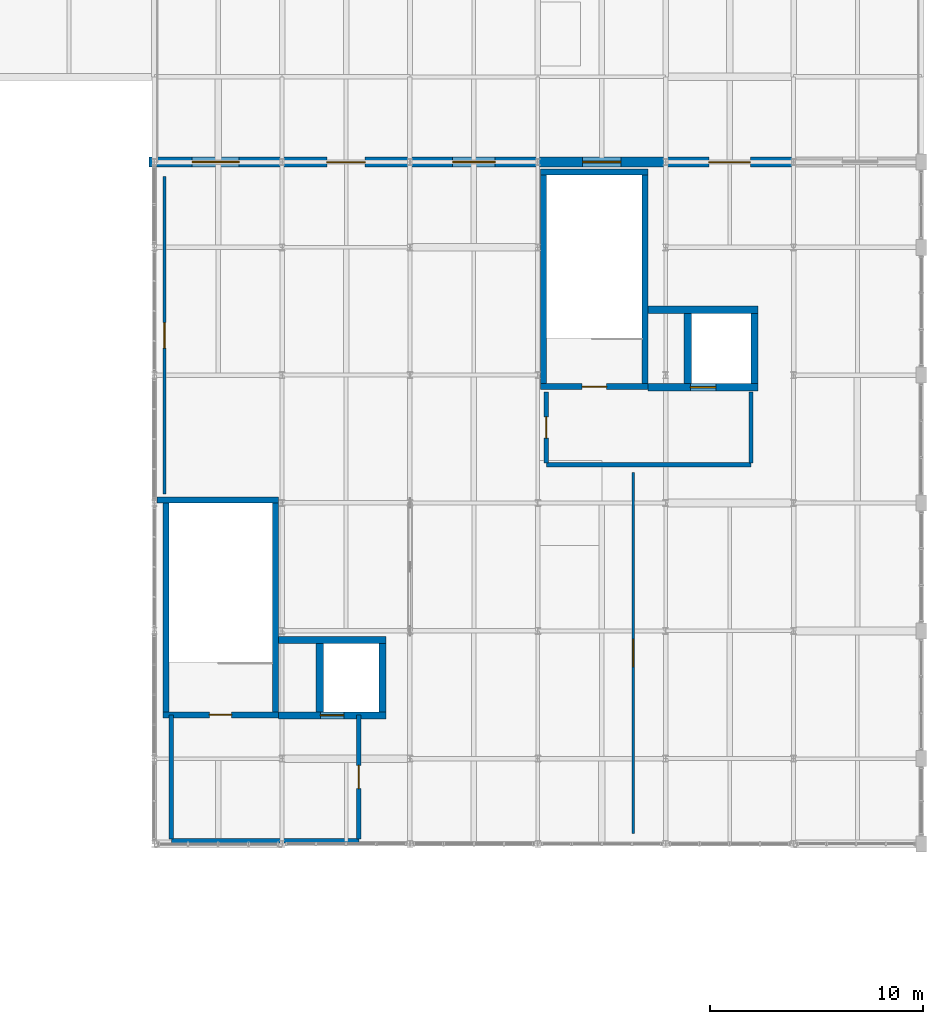
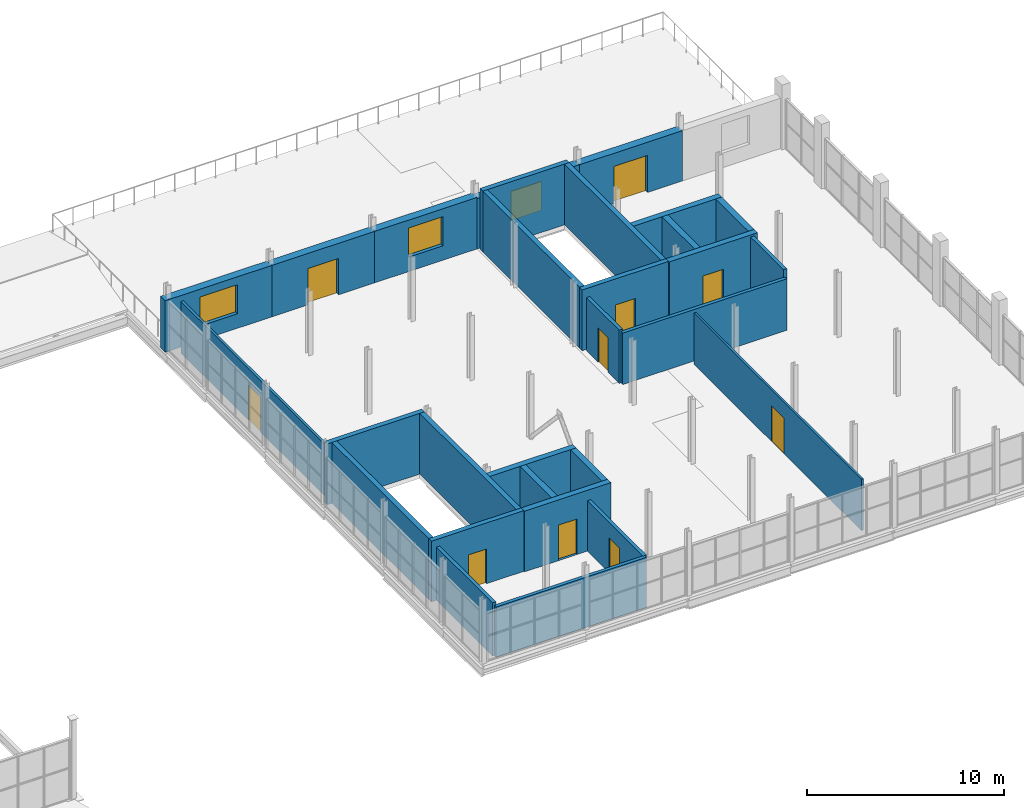
# One storey, part 90 of 96: 29 walls, 10 doors, 3 windows, 13 openings.
"""IFC4 building model written with IfcOpenShell, lengths in metres."""

from ifc_helpers import new_model, si_unit, direction, frame, frame_2d, origin, place, context, subcontext, project, spatial, rectangle, extrude, material, layer, layer_set, type_object, element, fill, save


model = new_model("IFC4")

# Units and contexts
model_context = context("Model", 3, precision=1e-05, world=origin(), true_north=direction((0.0, 1.0)))
body_context = subcontext(model_context, "Body", "Model", "MODEL_VIEW")
ifc_project = project(units=[si_unit("LENGTHUNIT", "METRE"), si_unit("AREAUNIT", "SQUARE_METRE"), si_unit("VOLUMEUNIT", "CUBIC_METRE"), si_unit("PLANEANGLEUNIT", "RADIAN"), si_unit("MASSUNIT", "GRAM", prefix="KILO")], contexts=[model_context])

# Site, building, storey
site_placement = place(None, origin())
site = spatial("IfcSite", under=ifc_project, at=site_placement, CompositionType="ELEMENT")
building_placement = place(site_placement, origin())
building = spatial("IfcBuilding", under=site, at=building_placement, Name="Verrall Gate Interchange", CompositionType="ELEMENT")
storey_placement = place(building_placement, frame((0.0, 0.0, 11.39990234375)))
storey = spatial("IfcBuildingStorey", under=building, at=storey_placement, Name="L03", CompositionType="ELEMENT", Elevation=11.39990234375)

# Wall, opening, door
ifc_material_1 = material(Name="Tyndall Dolomitic Limestone Ashlar Cavity Assembly (U=0.18)", Category="masonry")
ifc_layer_1 = layer(ifc_material_1, 0.4599609375)
ifc_layer_set_1 = layer_set([ifc_layer_1], Name="Tyndall Dolomitic Limestone Ashlar Cavity Assembly (U=0.18)")
wall_type_1 = type_object("IfcWallType", Name="EW-02 Exterior Solid Wall 460", PredefinedType="SOLIDWALL", material=ifc_layer_set_1)
wall_1_placement = place(storey_placement, frame((162.008056640625, 44.0, 0.0), z_axis=(0.0, 0.0, 1.0), x_axis=(-1.0, 0.0, 0.0)))
wall_1 = element("IfcWall", 1, at=wall_1_placement, inside=storey, type_object=wall_type_1, Name="L03 Classical Limestone Facade Wall 100", PredefinedType="SOLIDWALL", context=body_context, shape_type="SweptSolid", body=[
    extrude(rectangle(XDim=6.01611328125, YDim=0.4599609375, at=frame_2d((3.008056640625, 0.0))), origin(), (0.0, 0.0, 1.0), 3.111083984375),
])
opening_1_placement = place(wall_1_placement, frame((2.032958984375, 0.0, 0.0)))
opening_1 = element("IfcOpeningElement", 2, at=opening_1_placement, cuts=wall_1, Name="Opening E44", PredefinedType="OPENING", context=body_context, shape_type="SweptSolid", body=[
    extrude(rectangle(XDim=1.949951171875, YDim=2.300048828125, at=frame_2d((0.97509765625, 1.14990234375))), frame((0.0, 0.244873046875, 0.0), z_axis=(0.0, -1.0, 0.0), x_axis=(1.0, 0.0, 0.0)), (0.0, 0.0, 1.0), 0.48974609375),
])
ifc_material_2 = material(Name="Thermally Broken Bronze-Anodized Aluminium Entrance Assembly", Category="aluminium")
door_type_1 = type_object("IfcDoorType", Name="GD-02 Exterior Entrance Door 1950x2300", OperationType="NOTDEFINED", PredefinedType="DOOR", material=ifc_material_2)
door_1_placement = place(opening_1_placement, origin())
door_1 = element("IfcDoor", 3, at=door_1_placement, inside=storey, type_object=door_type_1, Name="L03 Roof Garden Terrace Door E44", OperationType="DOUBLE_DOOR_SINGLE_SWING", OverallHeight=2.300048828125, OverallWidth=1.949951171875, PredefinedType="DOOR", context=body_context, shape_type="SweptSolid", body=[
    extrude(rectangle(XDim=1.949951171875, YDim=2.300048828125, at=frame_2d((0.97509765625, 1.14990234375))), frame((0.0, 0.02490234375, 0.0), z_axis=(0.0, -1.0, 0.0), x_axis=(1.0, 0.0, 0.0)), (0.0, 0.0, 1.0), 0.050048828125),
])
fill(opening_1, door_1)

# Wall, opening, window
wall_2_placement = place(storey_placement, frame((156.008056640625, 44.0, 0.0), z_axis=(0.0, 0.0, 1.0), x_axis=(-1.0, 0.0, 0.0)))
wall_2 = element("IfcWall", 4, at=wall_2_placement, inside=storey, type_object=wall_type_1, Name="L03 Classical Limestone Facade Wall 101", PredefinedType="SOLIDWALL", context=body_context, shape_type="SweptSolid", body=[
    extrude(rectangle(XDim=6.01611328125, YDim=0.4599609375, at=frame_2d((3.008056640625, 0.0))), origin(), (0.0, 0.0, 1.0), 3.111083984375),
])
opening_2_placement = place(wall_2_placement, frame((2.10791015625, 0.0, 0.89990234375)))
opening_2 = element("IfcOpeningElement", 5, at=opening_2_placement, cuts=wall_2, Name="Opening WN-05", PredefinedType="OPENING", context=body_context, shape_type="SweptSolid", body=[
    extrude(rectangle(XDim=1.800048828125, YDim=1.800048828125, at=frame_2d((0.89990234375, 0.89990234375))), frame((0.0, 0.244873046875, 0.0), z_axis=(0.0, -1.0, 0.0), x_axis=(1.0, 0.0, 0.0)), (0.0, 0.0, 1.0), 0.48974609375),
])
ifc_material_3 = material(Name="Triple-Glazed Low-E Argon Bronze-Clad Window Unit (U=1.40)", Category="glass")
window_type_1 = type_object("IfcWindowType", Name="WN-05 Classical Deep-Reveal Window 1800x1800", PartitioningType="SINGLE_PANEL", PredefinedType="WINDOW", material=ifc_material_3)
window_1_placement = place(opening_2_placement, origin())
window_1 = element("IfcWindow", 6, at=window_1_placement, inside=storey, type_object=window_type_1, Name="L03 Classical Window 049 (WN-05)", OverallHeight=1.800048828125, OverallWidth=1.800048828125, PartitioningType="SINGLE_PANEL", PredefinedType="WINDOW", context=body_context, shape_type="SweptSolid", body=[
    extrude(rectangle(XDim=1.800048828125, YDim=1.800048828125, at=frame_2d((0.89990234375, 0.89990234375))), frame((0.0, 0.030029296875, 0.0), z_axis=(0.0, -1.0, 0.0), x_axis=(1.0, 0.0, 0.0)), (0.0, 0.0, 1.0), 0.06005859375),
])
fill(opening_2, window_1)

wall_3_placement = place(storey_placement, frame((150.008056640625, 44.0, 0.0), z_axis=(0.0, 0.0, 1.0), x_axis=(-1.0, 0.0, 0.0)))
wall_3 = element("IfcWall", 7, at=wall_3_placement, inside=storey, type_object=wall_type_1, Name="L03 Classical Limestone Facade Wall 102", PredefinedType="SOLIDWALL", context=body_context, shape_type="SweptSolid", body=[
    extrude(rectangle(XDim=6.01611328125, YDim=0.4599609375, at=frame_2d((3.008056640625, 0.0))), origin(), (0.0, 0.0, 1.0), 3.18701171875),
])
opening_3_placement = place(wall_3_placement, frame((2.008056640625, 0.0, 0.89990234375)))
opening_3 = element("IfcOpeningElement", 8, at=opening_3_placement, cuts=wall_3, Name="Opening WN-06", PredefinedType="OPENING", context=body_context, shape_type="SweptSolid", body=[
    extrude(rectangle(XDim=2.0, YDim=1.800048828125, at=frame_2d((1.0, 0.89990234375))), frame((0.0, 0.244873046875, 0.0), z_axis=(0.0, -1.0, 0.0), x_axis=(1.0, 0.0, 0.0)), (0.0, 0.0, 1.0), 0.48974609375),
])
ifc_material_4 = material(Name="Triple-Glazed Low-E Argon Bronze-Clad Window Unit (U=1.40)", Category="glass")
window_type_2 = type_object("IfcWindowType", Name="WN-06 Classical Deep-Reveal Window 2000x1800", PartitioningType="SINGLE_PANEL", PredefinedType="WINDOW", material=ifc_material_4)
window_2_placement = place(opening_3_placement, origin())
window_2 = element("IfcWindow", 9, at=window_2_placement, inside=storey, type_object=window_type_2, Name="L03 Classical Window 050 (WN-06)", OverallHeight=1.800048828125, OverallWidth=2.0, PartitioningType="SINGLE_PANEL", PredefinedType="WINDOW", context=body_context, shape_type="SweptSolid", body=[
    extrude(rectangle(XDim=2.0, YDim=1.800048828125, at=frame_2d((1.0, 0.89990234375))), frame((0.0, 0.030029296875, 0.0), z_axis=(0.0, -1.0, 0.0), x_axis=(1.0, 0.0, 0.0)), (0.0, 0.0, 1.0), 0.06005859375),
])
fill(opening_3, window_2)

# Wall, opening, door
wall_4_placement = place(storey_placement, frame((144.008056640625, 44.0, 0.0), z_axis=(0.0, 0.0, 1.0), x_axis=(-1.0, 0.0, 0.0)))
wall_4 = element("IfcWall", 10, at=wall_4_placement, inside=storey, type_object=wall_type_1, Name="L03 Classical Limestone Facade Wall 103", PredefinedType="SOLIDWALL", context=body_context, shape_type="SweptSolid", body=[
    extrude(rectangle(XDim=6.01611328125, YDim=0.4599609375, at=frame_2d((3.008056640625, 0.0))), origin(), (0.0, 0.0, 1.0), 3.18701171875),
])
opening_4_placement = place(wall_4_placement, frame((2.10791015625, 0.0, 0.0)))
opening_4 = element("IfcOpeningElement", 11, at=opening_4_placement, cuts=wall_4, Name="Opening E45", PredefinedType="OPENING", context=body_context, shape_type="SweptSolid", body=[
    extrude(rectangle(XDim=1.800048828125, YDim=2.25, at=frame_2d((0.89990234375, 1.125))), frame((0.0, 0.244873046875, 0.0), z_axis=(0.0, -1.0, 0.0), x_axis=(1.0, 0.0, 0.0)), (0.0, 0.0, 1.0), 0.48974609375),
])
ifc_material_5 = material(Name="Thermally Broken Bronze-Anodized Aluminium Entrance Assembly", Category="aluminium")
door_type_2 = type_object("IfcDoorType", Name="GD-01 Exterior Entrance Door 1800x2250", OperationType="NOTDEFINED", PredefinedType="DOOR", material=ifc_material_5)
door_2_placement = place(opening_4_placement, origin())
door_2 = element("IfcDoor", 12, at=door_2_placement, inside=storey, type_object=door_type_2, Name="L03 Roof Garden Terrace Door E45", OperationType="DOUBLE_DOOR_SINGLE_SWING", OverallHeight=2.25, OverallWidth=1.800048828125, PredefinedType="DOOR", context=body_context, shape_type="SweptSolid", body=[
    extrude(rectangle(XDim=1.800048828125, YDim=2.25, at=frame_2d((0.89990234375, 1.125))), frame((0.0, 0.02490234375, 0.0), z_axis=(0.0, -1.0, 0.0), x_axis=(1.0, 0.0, 0.0)), (0.0, 0.0, 1.0), 0.050048828125),
])
fill(opening_4, door_2)

# Wall, opening, window
wall_5_placement = place(storey_placement, frame((138.008056640625, 44.0, 0.0), z_axis=(0.0, 0.0, 1.0), x_axis=(-1.0, 0.0, 0.0)))
wall_5 = element("IfcWall", 13, at=wall_5_placement, inside=storey, type_object=wall_type_1, Name="L03 Classical Limestone Facade Wall 104", PredefinedType="SOLIDWALL", context=body_context, shape_type="SweptSolid", body=[
    extrude(rectangle(XDim=6.258056640625, YDim=0.4599609375, at=frame_2d((3.12890625, 0.0))), origin(), (0.0, 0.0, 1.0), 3.18701171875),
])
opening_5_placement = place(wall_5_placement, frame((2.029052734375, 0.0, 0.89990234375)))
opening_5 = element("IfcOpeningElement", 14, at=opening_5_placement, cuts=wall_5, Name="Opening WN-07", PredefinedType="OPENING", context=body_context, shape_type="SweptSolid", body=[
    extrude(rectangle(XDim=2.199951171875, YDim=1.800048828125, at=frame_2d((1.10009765625, 0.89990234375))), frame((0.0, 0.244873046875, 0.0), z_axis=(0.0, -1.0, 0.0), x_axis=(1.0, 0.0, 0.0)), (0.0, 0.0, 1.0), 0.48974609375),
])
ifc_material_6 = material(Name="Triple-Glazed Low-E Argon Bronze-Clad Window Unit (U=1.40)", Category="glass")
window_type_3 = type_object("IfcWindowType", Name="WN-07 Classical Deep-Reveal Window 2200x1800", PartitioningType="SINGLE_PANEL", PredefinedType="WINDOW", material=ifc_material_6)
window_3_placement = place(opening_5_placement, origin())
window_3 = element("IfcWindow", 15, at=window_3_placement, inside=storey, type_object=window_type_3, Name="L03 Classical Window 051 (WN-07)", OverallHeight=1.800048828125, OverallWidth=2.199951171875, PartitioningType="SINGLE_PANEL", PredefinedType="WINDOW", context=body_context, shape_type="SweptSolid", body=[
    extrude(rectangle(XDim=2.199951171875, YDim=1.800048828125, at=frame_2d((1.10009765625, 0.89990234375))), frame((0.0, 0.030029296875, 0.0), z_axis=(0.0, -1.0, 0.0), x_axis=(1.0, 0.0, 0.0)), (0.0, 0.0, 1.0), 0.06005859375),
])
fill(opening_5, window_3)

# Walls
ifc_material_7 = material(Name="Fire-Rated Type X Gypsum Stud Partition Assembly (60 min)", Category="gypsum")
ifc_layer_2 = layer(ifc_material_7, 0.199951171875)
ifc_layer_set_2 = layer_set([ifc_layer_2], Name="Fire-Rated Type X Gypsum Stud Partition Assembly (60 min)")
wall_type_2 = type_object("IfcWallType", Name="IW-01 Interior Partition Wall 200", PredefinedType="PARTITIONING", material=ifc_layer_set_2)
wall_6_placement = place(storey_placement, frame((132.800048828125, 12.14990234375, 0.0), z_axis=(0.0, 0.0, 1.0), x_axis=(1.0, 0.0, 0.0)))
element("IfcWall", 16, at=wall_6_placement, inside=storey, type_object=wall_type_2, Name="L03 Core C8 Lobby South Rated Wall", PredefinedType="PARTITIONING", context=body_context, shape_type="SweptSolid", body=[
    extrude(rectangle(XDim=8.800048828125, YDim=0.199951171875, at=frame_2d((4.39990234375, 0.0))), origin(), (0.0, 0.0, 1.0), 3.111083984375),
])
wall_7_placement = place(storey_placement, frame((132.800048828125, 18.050048828125, 0.0), z_axis=(0.0, 0.0, 1.0), x_axis=(0.0, -1.0, 0.0)))
element("IfcWall", 17, at=wall_7_placement, inside=storey, type_object=wall_type_2, Name="L03 Core C8 Lobby West Rated Wall", PredefinedType="PARTITIONING", context=body_context, shape_type="SweptSolid", body=[
    extrude(rectangle(XDim=5.820068359375, YDim=0.199951171875, at=frame_2d((2.91015625, 0.0))), origin(), (0.0, 0.0, 1.0), 3.294189453125),
])

# Wall, opening, door
wall_8_placement = place(storey_placement, frame((141.60009765625, 12.22998046875, 0.0), z_axis=(0.0, 0.0, 1.0), x_axis=(0.0, 1.0, 0.0)))
wall_8 = element("IfcWall", 18, at=wall_8_placement, inside=storey, type_object=wall_type_2, Name="L03 Core C8 Lobby East Rated Wall", PredefinedType="PARTITIONING", context=body_context, shape_type="SweptSolid", body=[
    extrude(rectangle(XDim=5.820068359375, YDim=0.199951171875, at=frame_2d((2.91015625, 0.0))), origin(), (0.0, 0.0, 1.0), 3.111083984375),
])
opening_6_placement = place(wall_8_placement, frame((2.360107421875, 0.0, 0.0)))
opening_6 = element("IfcOpeningElement", 19, at=opening_6_placement, cuts=wall_8, Name="Opening LBD096", PredefinedType="OPENING", context=body_context, shape_type="SweptSolid", body=[
    extrude(rectangle(XDim=1.10009765625, YDim=2.14990234375, at=frame_2d((0.550048828125, 1.074951171875))), frame((0.0, 0.11474609375, 0.0), z_axis=(0.0, -1.0, 0.0), x_axis=(1.0, 0.0, 0.0)), (0.0, 0.0, 1.0), 0.229736328125),
])
ifc_material_8 = material(Name="Hollow-Metal Fire-Rated Door Assembly", Category="metal")
door_type_3 = type_object("IfcDoorType", Name="ID-06 Interior Swing Door 1100x2150", OperationType="NOTDEFINED", PredefinedType="DOOR", material=ifc_material_8)
door_3_placement = place(opening_6_placement, origin())
door_3 = element("IfcDoor", 20, at=door_3_placement, inside=storey, type_object=door_type_3, Name="L03 Core C8 Lobby Fire Door LBD096", OperationType="SINGLE_SWING_RIGHT", OverallHeight=2.14990234375, OverallWidth=1.10009765625, PredefinedType="DOOR", context=body_context, shape_type="SweptSolid", body=[
    extrude(rectangle(XDim=1.10009765625, YDim=2.14990234375, at=frame_2d((0.550048828125, 1.074951171875))), frame((0.0, 0.02490234375, 0.0), z_axis=(0.0, -1.0, 0.0), x_axis=(1.0, 0.0, 0.0)), (0.0, 0.0, 1.0), 0.050048828125),
])
fill(opening_6, door_3)

# Wall
wall_9_placement = place(storey_placement, frame((150.39990234375, 29.800048828125, 0.0), z_axis=(0.0, 0.0, 1.0), x_axis=(1.0, 0.0, 0.0)))
element("IfcWall", 21, at=wall_9_placement, inside=storey, type_object=wall_type_2, Name="L03 Core C9 Lobby South Rated Wall", PredefinedType="PARTITIONING", context=body_context, shape_type="SweptSolid", body=[
    extrude(rectangle(XDim=9.60009765625, YDim=0.199951171875, at=frame_2d((4.800048828125, 0.0))), origin(), (0.0, 0.0, 1.0), 3.18701171875),
])

# Wall, opening, door
wall_10_placement = place(storey_placement, frame((150.39990234375, 33.199951171875, 0.0), z_axis=(0.0, 0.0, 1.0), x_axis=(0.0, -1.0, 0.0)))
wall_10 = element("IfcWall", 22, at=wall_10_placement, inside=storey, type_object=wall_type_2, Name="L03 Core C9 Lobby West Rated Wall", PredefinedType="PARTITIONING", context=body_context, shape_type="SweptSolid", body=[
    extrude(rectangle(XDim=3.320068359375, YDim=0.199951171875, at=frame_2d((1.66015625, 0.0))), origin(), (0.0, 0.0, 1.0), 3.296142578125),
])
opening_7_placement = place(wall_10_placement, frame((1.159912109375, 0.0, 0.0)))
opening_7 = element("IfcOpeningElement", 23, at=opening_7_placement, cuts=wall_10, Name="Opening LBD107", PredefinedType="OPENING", context=body_context, shape_type="SweptSolid", body=[
    extrude(rectangle(XDim=1.0, YDim=2.14990234375, at=frame_2d((0.5, 1.074951171875))), frame((0.0, 0.11474609375, 0.0), z_axis=(0.0, -1.0, 0.0), x_axis=(1.0, 0.0, 0.0)), (0.0, 0.0, 1.0), 0.229736328125),
])
ifc_material_9 = material(Name="Hollow-Metal Fire-Rated Door Assembly", Category="metal")
door_type_4 = type_object("IfcDoorType", Name="ID-05 Interior Swing Door 1000x2150", OperationType="NOTDEFINED", PredefinedType="DOOR", material=ifc_material_9)
door_4_placement = place(opening_7_placement, origin())
door_4 = element("IfcDoor", 24, at=door_4_placement, inside=storey, type_object=door_type_4, Name="L03 Core C9 Lobby Fire Door LBD107", OperationType="SINGLE_SWING_LEFT", OverallHeight=2.14990234375, OverallWidth=1.0, PredefinedType="DOOR", context=body_context, shape_type="SweptSolid", body=[
    extrude(rectangle(XDim=1.0, YDim=2.14990234375, at=frame_2d((0.5, 1.074951171875))), frame((0.0, 0.02490234375, 0.0), z_axis=(0.0, -1.0, 0.0), x_axis=(1.0, 0.0, 0.0)), (0.0, 0.0, 1.0), 0.050048828125),
])
fill(opening_7, door_4)

# Wall
wall_11_placement = place(storey_placement, frame((160.0, 29.8798828125, 0.0), z_axis=(0.0, 0.0, 1.0), x_axis=(0.0, 1.0, 0.0)))
element("IfcWall", 25, at=wall_11_placement, inside=storey, type_object=wall_type_2, Name="L03 Core C9 Lobby East Rated Wall", PredefinedType="PARTITIONING", context=body_context, shape_type="SweptSolid", body=[
    extrude(rectangle(XDim=3.320068359375, YDim=0.199951171875, at=frame_2d((1.66015625, 0.0))), origin(), (0.0, 0.0, 1.0), 3.68017578125),
])

# Wall, opening, door
ifc_material_10 = material(Name="Acoustic Steel-Stud Partition Assembly", Category="steel")
ifc_layer_3 = layer(ifc_material_10, 0.139892578125)
ifc_layer_set_3 = layer_set([ifc_layer_3], Name="Acoustic Steel-Stud Partition Assembly")
wall_type_3 = type_object("IfcWallType", Name="IW-03 Interior Partition Wall 140", PredefinedType="PARTITIONING", material=ifc_layer_set_3)
wall_12_placement = place(storey_placement, frame((132.47998046875, 28.409912109375, 0.0), z_axis=(0.0, 0.0, 1.0), x_axis=(0.0, 1.0, 0.0)))
wall_12 = element("IfcWall", 26, at=wall_12_placement, inside=storey, type_object=wall_type_3, Name="L03 Transit Heritage Exhibition Hall Partition 062", PredefinedType="PARTITIONING", context=body_context, shape_type="SweptSolid", body=[
    extrude(rectangle(XDim=14.91015625, YDim=0.139892578125, at=frame_2d((7.455078125, 0.0))), origin(), (0.0, 0.0, 1.0), 3.18701171875),
])
opening_8_placement = place(wall_12_placement, frame((6.85498046875, 0.0, 0.0)))
opening_8 = element("IfcOpeningElement", 27, at=opening_8_placement, cuts=wall_12, Name="Opening D046", PredefinedType="OPENING", context=body_context, shape_type="SweptSolid", body=[
    extrude(rectangle(XDim=1.199951171875, YDim=2.14990234375, at=frame_2d((0.60009765625, 1.074951171875))), frame((0.0, 0.0849609375, 0.0), z_axis=(0.0, -1.0, 0.0), x_axis=(1.0, 0.0, 0.0)), (0.0, 0.0, 1.0), 0.169677734375),
])
ifc_material_11 = material(Name="Architectural Solid-Core Birch Acoustic Door Assembly", Category="wood")
door_type_5 = type_object("IfcDoorType", Name="ID-15 Interior Swing Door 1200x2150", OperationType="NOTDEFINED", PredefinedType="DOOR", material=ifc_material_11)
door_5_placement = place(opening_8_placement, origin())
door_5 = element("IfcDoor", 28, at=door_5_placement, inside=storey, type_object=door_type_5, Name="L03 Transit Heritage Exhibition Hall Door D046", OperationType="SINGLE_SWING_LEFT", OverallHeight=2.14990234375, OverallWidth=1.199951171875, PredefinedType="DOOR", context=body_context, shape_type="SweptSolid", body=[
    extrude(rectangle(XDim=1.199951171875, YDim=2.14990234375, at=frame_2d((0.60009765625, 1.074951171875))), frame((0.0, 0.02490234375, 0.0), z_axis=(0.0, -1.0, 0.0), x_axis=(1.0, 0.0, 0.0)), (0.0, 0.0, 1.0), 0.050048828125),
])
fill(opening_8, door_5)

ifc_material_12 = material(Name="Acoustic Steel-Stud Partition Assembly", Category="steel")
ifc_layer_4 = layer(ifc_material_12, 0.1201171875)
ifc_layer_set_4 = layer_set([ifc_layer_4], Name="Acoustic Steel-Stud Partition Assembly")
wall_type_4 = type_object("IfcWallType", Name="IW-04 Interior Partition Wall 120", PredefinedType="PARTITIONING", material=ifc_layer_set_4)
wall_13_placement = place(storey_placement, frame((154.47998046875, 12.47998046875, 0.0), z_axis=(0.0, 0.0, 1.0), x_axis=(0.0, 1.0, 0.0)))
wall_13 = element("IfcWall", 29, at=wall_13_placement, inside=storey, type_object=wall_type_4, Name="L03 Winter Conservatory Salon Partition 063", PredefinedType="PARTITIONING", context=body_context, shape_type="SweptSolid", body=[
    extrude(rectangle(XDim=16.9599609375, YDim=0.1201171875, at=frame_2d((8.47998046875, 0.0))), origin(), (0.0, 0.0, 1.0), 3.18701171875),
])
opening_9_placement = place(wall_13_placement, frame((7.840087890625, 0.0, 0.0)))
opening_9 = element("IfcOpeningElement", 30, at=opening_9_placement, cuts=wall_13, Name="Opening D047", PredefinedType="OPENING", context=body_context, shape_type="SweptSolid", body=[
    extrude(rectangle(XDim=1.280029296875, YDim=2.199951171875, at=frame_2d((0.64013671875, 1.10009765625))), frame((0.0, 0.074951171875, 0.0), z_axis=(0.0, -1.0, 0.0), x_axis=(1.0, 0.0, 0.0)), (0.0, 0.0, 1.0), 0.14990234375),
])
ifc_material_13 = material(Name="Architectural Solid-Core Birch Acoustic Door Assembly", Category="wood")
door_type_6 = type_object("IfcDoorType", Name="ID-16 Interior Swing Door 1280x2200", OperationType="NOTDEFINED", PredefinedType="DOOR", material=ifc_material_13)
door_6_placement = place(opening_9_placement, origin())
door_6 = element("IfcDoor", 31, at=door_6_placement, inside=storey, type_object=door_type_6, Name="L03 Winter Conservatory Salon Door D047", OperationType="SINGLE_SWING_RIGHT", OverallHeight=2.199951171875, OverallWidth=1.280029296875, PredefinedType="DOOR", context=body_context, shape_type="SweptSolid", body=[
    extrude(rectangle(XDim=1.280029296875, YDim=2.199951171875, at=frame_2d((0.64013671875, 1.10009765625))), frame((0.0, 0.02490234375, 0.0), z_axis=(0.0, -1.0, 0.0), x_axis=(1.0, 0.0, 0.0)), (0.0, 0.0, 1.0), 0.050048828125),
])
fill(opening_9, door_6)

ifc_material_14 = material(Name="Concrete CSA A23.1 40 MPa (Class N)", Category="concrete")
ifc_layer_5 = layer(ifc_material_14, 0.340087890625)
ifc_layer_set_5 = layer_set([ifc_layer_5], Name="Concrete CSA A23.1 40 MPa (Class N)")
wall_type_5 = type_object("IfcWallType", Name="SW-02 Core Shear Wall 340", PredefinedType="SHEAR", material=ifc_layer_set_5)
wall_14_placement = place(storey_placement, frame((137.820068359375, 18.030029296875, 0.0), z_axis=(0.0, 0.0, 1.0), x_axis=(1.0, 0.0, 0.0)))
wall_14 = element("IfcWall", 32, at=wall_14_placement, inside=storey, type_object=wall_type_5, Name="L03 Elevator EL-06 South Shaft Wall", PredefinedType="SHEAR", context=body_context, shape_type="SweptSolid", body=[
    extrude(rectangle(XDim=5.059814453125, YDim=0.340087890625, at=frame_2d((2.52978515625, 0.0))), origin(), (0.0, 0.0, 1.0), 3.760009765625),
])
opening_10_placement = place(wall_14_placement, frame((1.97998046875, 0.0, 0.0)))
opening_10 = element("IfcOpeningElement", 33, at=opening_10_placement, cuts=wall_14, Name="Opening LD-06-L03", PredefinedType="OPENING", context=body_context, shape_type="SweptSolid", body=[
    extrude(rectangle(XDim=1.10009765625, YDim=2.199951171875, at=frame_2d((0.550048828125, 1.10009765625))), frame((0.0, 0.18505859375, 0.0), z_axis=(0.0, -1.0, 0.0), x_axis=(1.0, 0.0, 0.0)), (0.0, 0.0, 1.0), 0.369873046875),
])
ifc_material_15 = material(Name="Stainless-Steel Elevator Landing Sliding Door Assembly", Category="steel")
door_type_7 = type_object("IfcDoorType", Name="LD-01 Elevator Sliding Landing Door 1100x2200", OperationType="NOTDEFINED", PredefinedType="DOOR", material=ifc_material_15)
door_7_placement = place(opening_10_placement, origin())
door_7 = element("IfcDoor", 34, at=door_7_placement, inside=storey, type_object=door_type_7, Name="L03 Elevator EL-06 Sliding Landing Door", OperationType="DOUBLE_DOOR_SLIDING", OverallHeight=2.199951171875, OverallWidth=1.10009765625, PredefinedType="DOOR", context=body_context, shape_type="SweptSolid", body=[
    extrude(rectangle(XDim=1.10009765625, YDim=2.199951171875, at=frame_2d((0.550048828125, 1.10009765625))), frame((0.0, 0.02490234375, 0.0), z_axis=(0.0, -1.0, 0.0), x_axis=(1.0, 0.0, 0.0)), (0.0, 0.0, 1.0), 0.050048828125),
])
fill(opening_10, door_7)

# Walls
wall_15_placement = place(storey_placement, frame((142.8798828125, 21.570068359375, 0.0), z_axis=(0.0, 0.0, 1.0), x_axis=(-1.0, 0.0, 0.0)))
element("IfcWall", 35, at=wall_15_placement, inside=storey, type_object=wall_type_5, Name="L03 Elevator EL-06 North Shaft Wall", PredefinedType="SHEAR", context=body_context, shape_type="SweptSolid", body=[
    extrude(rectangle(XDim=5.059814453125, YDim=0.340087890625, at=frame_2d((2.52978515625, 0.0))), origin(), (0.0, 0.0, 1.0), 3.760009765625),
])
for number, where, z_axis, x_axis, name in (
    (36, (139.77001953125, 21.39990234375, 0.0), (0.0, 0.0, 1.0), (0.0, -1.0, 0.0), "L03 Elevator EL-06 West Shaft Wall"),
    (37, (142.7099609375, 18.199951171875, 0.0), (0.0, 0.0, 1.0), (0.0, 1.0, 0.0), "L03 Elevator EL-06 East Shaft Wall"),
):
    element("IfcWall", number, at=place(storey_placement, frame(where, z_axis=z_axis, x_axis=x_axis)), inside=storey, type_object=wall_type_5, Name=name, PredefinedType="SHEAR", context=body_context, shape_type="SweptSolid", body=[
        extrude(rectangle(XDim=3.199951171875, YDim=0.340087890625, at=frame_2d((1.60009765625, 0.0))), origin(), (0.0, 0.0, 1.0), 3.760009765625),
    ])

# Wall, opening, door
wall_16_placement = place(storey_placement, frame((155.179931640625, 33.429931640625, 0.0), z_axis=(0.0, 0.0, 1.0), x_axis=(1.0, 0.0, 0.0)))
wall_16 = element("IfcWall", 38, at=wall_16_placement, inside=storey, type_object=wall_type_5, Name="L03 Elevator EL-07 South Shaft Wall", PredefinedType="SHEAR", context=body_context, shape_type="SweptSolid", body=[
    extrude(rectangle(XDim=5.16015625, YDim=0.340087890625, at=frame_2d((2.580078125, 0.0))), origin(), (0.0, 0.0, 1.0), 3.760009765625),
])
opening_11_placement = place(wall_16_placement, frame((1.97998046875, 0.0, 0.0)))
opening_11 = element("IfcOpeningElement", 39, at=opening_11_placement, cuts=wall_16, Name="Opening LD-07-L03", PredefinedType="OPENING", context=body_context, shape_type="SweptSolid", body=[
    extrude(rectangle(XDim=1.199951171875, YDim=2.199951171875, at=frame_2d((0.60009765625, 1.10009765625))), frame((0.0, 0.18505859375, 0.0), z_axis=(0.0, -1.0, 0.0), x_axis=(1.0, 0.0, 0.0)), (0.0, 0.0, 1.0), 0.369873046875),
])
ifc_material_16 = material(Name="Stainless-Steel Elevator Landing Sliding Door Assembly", Category="steel")
door_type_8 = type_object("IfcDoorType", Name="LD-02 Elevator Sliding Landing Door 1200x2200", OperationType="NOTDEFINED", PredefinedType="DOOR", material=ifc_material_16)
door_8_placement = place(opening_11_placement, origin())
door_8 = element("IfcDoor", 40, at=door_8_placement, inside=storey, type_object=door_type_8, Name="L03 Elevator EL-07 Sliding Landing Door", OperationType="DOUBLE_DOOR_SLIDING", OverallHeight=2.199951171875, OverallWidth=1.199951171875, PredefinedType="DOOR", context=body_context, shape_type="SweptSolid", body=[
    extrude(rectangle(XDim=1.199951171875, YDim=2.199951171875, at=frame_2d((0.60009765625, 1.10009765625))), frame((0.0, 0.02490234375, 0.0), z_axis=(0.0, -1.0, 0.0), x_axis=(1.0, 0.0, 0.0)), (0.0, 0.0, 1.0), 0.050048828125),
])
fill(opening_11, door_8)

# Walls
wall_17_placement = place(storey_placement, frame((160.340087890625, 37.070068359375, 0.0), z_axis=(0.0, 0.0, 1.0), x_axis=(-1.0, 0.0, 0.0)))
element("IfcWall", 41, at=wall_17_placement, inside=storey, type_object=wall_type_5, Name="L03 Elevator EL-07 North Shaft Wall", PredefinedType="SHEAR", context=body_context, shape_type="SweptSolid", body=[
    extrude(rectangle(XDim=5.16015625, YDim=0.340087890625, at=frame_2d((2.580078125, 0.0))), origin(), (0.0, 0.0, 1.0), 3.760009765625),
])
for number, where, z_axis, x_axis, name in (
    (42, (157.030029296875, 36.89990234375, 0.0), (0.0, 0.0, 1.0), (0.0, -1.0, 0.0), "L03 Elevator EL-07 West Shaft Wall"),
    (43, (160.169921875, 33.60009765625, 0.0), (0.0, 0.0, 1.0), (0.0, 1.0, 0.0), "L03 Elevator EL-07 East Shaft Wall"),
):
    element("IfcWall", number, at=place(storey_placement, frame(where, z_axis=z_axis, x_axis=x_axis)), inside=storey, type_object=wall_type_5, Name=name, PredefinedType="SHEAR", context=body_context, shape_type="SweptSolid", body=[
        extrude(rectangle(XDim=3.2998046875, YDim=0.340087890625, at=frame_2d((1.64990234375, 0.0))), origin(), (0.0, 0.0, 1.0), 3.760009765625),
    ])

# Wall, opening, door
ifc_material_17 = material(Name="Concrete CSA A23.1 40 MPa (Class N)", Category="concrete")
ifc_layer_6 = layer(ifc_material_17, 0.280029296875)
ifc_layer_set_6 = layer_set([ifc_layer_6], Name="Concrete CSA A23.1 40 MPa (Class N)")
wall_type_6 = type_object("IfcWallType", Name="SW-03 Core Shear Wall 280", PredefinedType="SHEAR", material=ifc_layer_set_6)
wall_18_placement = place(storey_placement, frame((132.39990234375, 18.06005859375, 0.0), z_axis=(0.0, 0.0, 1.0), x_axis=(1.0, 0.0, 0.0)))
wall_18 = element("IfcWall", 44, at=wall_18_placement, inside=storey, type_object=wall_type_6, Name="L03 Core C8 South Shear Wall", PredefinedType="SHEAR", context=body_context, shape_type="SweptSolid", body=[
    extrude(rectangle(XDim=5.420166015625, YDim=0.280029296875, at=frame_2d((2.7099609375, 0.0))), origin(), (0.0, 0.0, 1.0), 3.760009765625),
])
opening_12_placement = place(wall_18_placement, frame((2.18505859375, 0.0, 0.0)))
opening_12 = element("IfcOpeningElement", 45, at=opening_12_placement, cuts=wall_18, Name="Opening SD091", PredefinedType="OPENING", context=body_context, shape_type="SweptSolid", body=[
    extrude(rectangle(XDim=1.050048828125, YDim=2.14990234375, at=frame_2d((0.52490234375, 1.074951171875))), frame((0.0, 0.15478515625, 0.0), z_axis=(0.0, -1.0, 0.0), x_axis=(1.0, 0.0, 0.0)), (0.0, 0.0, 1.0), 0.309814453125),
])
ifc_material_18 = material(Name="Hollow-Metal Fire-Rated Door Assembly", Category="metal")
door_type_9 = type_object("IfcDoorType", Name="ID-01 Interior Swing Door 1050x2150", OperationType="NOTDEFINED", PredefinedType="DOOR", material=ifc_material_18)
door_9_placement = place(opening_12_placement, origin())
door_9 = element("IfcDoor", 46, at=door_9_placement, inside=storey, type_object=door_type_9, Name="L03 Stair ST-08 Fire Door SD091", OperationType="SINGLE_SWING_LEFT", OverallHeight=2.14990234375, OverallWidth=1.050048828125, PredefinedType="DOOR", context=body_context, shape_type="SweptSolid", body=[
    extrude(rectangle(XDim=1.050048828125, YDim=2.14990234375, at=frame_2d((0.52490234375, 1.074951171875))), frame((0.0, 0.02490234375, 0.0), z_axis=(0.0, -1.0, 0.0), x_axis=(1.0, 0.0, 0.0)), (0.0, 0.0, 1.0), 0.050048828125),
])
fill(opening_12, door_9)

# Walls
wall_19_placement = place(storey_placement, frame((137.820068359375, 28.139892578125, 0.0), z_axis=(0.0, 0.0, 1.0), x_axis=(-1.0, 0.0, 0.0)))
element("IfcWall", 47, at=wall_19_placement, inside=storey, type_object=wall_type_6, Name="L03 Core C8 North Shear Wall", PredefinedType="SHEAR", context=body_context, shape_type="SweptSolid", body=[
    extrude(rectangle(XDim=5.695068359375, YDim=0.280029296875, at=frame_2d((2.84765625, 0.0))), origin(), (0.0, 0.0, 1.0), 3.760009765625),
])
for number, where, z_axis, x_axis, name in (
    (48, (132.5400390625, 28.0, 0.0), (0.0, 0.0, 1.0), (0.0, -1.0, 0.0), "L03 Core C8 West Shear Wall"),
    (49, (137.679931640625, 18.199951171875, 0.0), (0.0, 0.0, 1.0), (0.0, 1.0, 0.0), "L03 Core C8 East Shear Wall"),
):
    element("IfcWall", number, at=place(storey_placement, frame(where, z_axis=z_axis, x_axis=x_axis)), inside=storey, type_object=wall_type_6, Name=name, PredefinedType="SHEAR", context=body_context, shape_type="SweptSolid", body=[
        extrude(rectangle(XDim=9.800048828125, YDim=0.280029296875, at=frame_2d((4.89990234375, 0.0))), origin(), (0.0, 0.0, 1.0), 3.760009765625),
    ])

# Wall, opening, door
wall_20_placement = place(storey_placement, frame((150.1201171875, 33.4599609375, 0.0), z_axis=(0.0, 0.0, 1.0), x_axis=(1.0, 0.0, 0.0)))
wall_20 = element("IfcWall", 50, at=wall_20_placement, inside=storey, type_object=wall_type_6, Name="L03 Core C9 South Shear Wall", PredefinedType="SHEAR", context=body_context, shape_type="SweptSolid", body=[
    extrude(rectangle(XDim=5.059814453125, YDim=0.280029296875, at=frame_2d((2.52978515625, 0.0))), origin(), (0.0, 0.0, 1.0), 3.760009765625),
])
opening_13_placement = place(wall_20_placement, frame((1.955078125, 0.0, 0.0)))
opening_13 = element("IfcOpeningElement", 51, at=opening_13_placement, cuts=wall_20, Name="Opening SD101", PredefinedType="OPENING", context=body_context, shape_type="SweptSolid", body=[
    extrude(rectangle(XDim=1.14990234375, YDim=2.14990234375, at=frame_2d((0.574951171875, 1.074951171875))), frame((0.0, 0.15478515625, 0.0), z_axis=(0.0, -1.0, 0.0), x_axis=(1.0, 0.0, 0.0)), (0.0, 0.0, 1.0), 0.309814453125),
])
ifc_material_19 = material(Name="Hollow-Metal Fire-Rated Door Assembly", Category="metal")
door_type_10 = type_object("IfcDoorType", Name="ID-02 Interior Swing Door 1150x2150", OperationType="NOTDEFINED", PredefinedType="DOOR", material=ifc_material_19)
door_10_placement = place(opening_13_placement, origin())
door_10 = element("IfcDoor", 52, at=door_10_placement, inside=storey, type_object=door_type_10, Name="L03 Stair ST-09 Fire Door SD101", OperationType="SINGLE_SWING_LEFT", OverallHeight=2.14990234375, OverallWidth=1.14990234375, PredefinedType="DOOR", context=body_context, shape_type="SweptSolid", body=[
    extrude(rectangle(XDim=1.14990234375, YDim=2.14990234375, at=frame_2d((0.574951171875, 1.074951171875))), frame((0.0, 0.02490234375, 0.0), z_axis=(0.0, -1.0, 0.0), x_axis=(1.0, 0.0, 0.0)), (0.0, 0.0, 1.0), 0.050048828125),
])
fill(opening_13, door_10)

# Walls
wall_21_placement = place(storey_placement, frame((155.179931640625, 43.5400390625, 0.0), z_axis=(0.0, 0.0, 1.0), x_axis=(-1.0, 0.0, 0.0)))
element("IfcWall", 53, at=wall_21_placement, inside=storey, type_object=wall_type_6, Name="L03 Core C9 North Shear Wall", PredefinedType="SHEAR", context=body_context, shape_type="SweptSolid", body=[
    extrude(rectangle(XDim=5.059814453125, YDim=0.280029296875, at=frame_2d((2.52978515625, 0.0))), origin(), (0.0, 0.0, 1.0), 3.760009765625),
])
for number, where, z_axis, x_axis, name in (
    (54, (150.260009765625, 43.39990234375, 0.0), (0.0, 0.0, 1.0), (0.0, -1.0, 0.0), "L03 Core C9 West Shear Wall"),
    (55, (155.0400390625, 33.60009765625, 0.0), (0.0, 0.0, 1.0), (0.0, 1.0, 0.0), "L03 Core C9 East Shear Wall"),
):
    element("IfcWall", number, at=place(storey_placement, frame(where, z_axis=z_axis, x_axis=x_axis)), inside=storey, type_object=wall_type_6, Name=name, PredefinedType="SHEAR", context=body_context, shape_type="SweptSolid", body=[
        extrude(rectangle(XDim=9.7998046875, YDim=0.280029296875, at=frame_2d((4.89990234375, 0.0))), origin(), (0.0, 0.0, 1.0), 3.760009765625),
    ])

save(model, "model.ifc")
